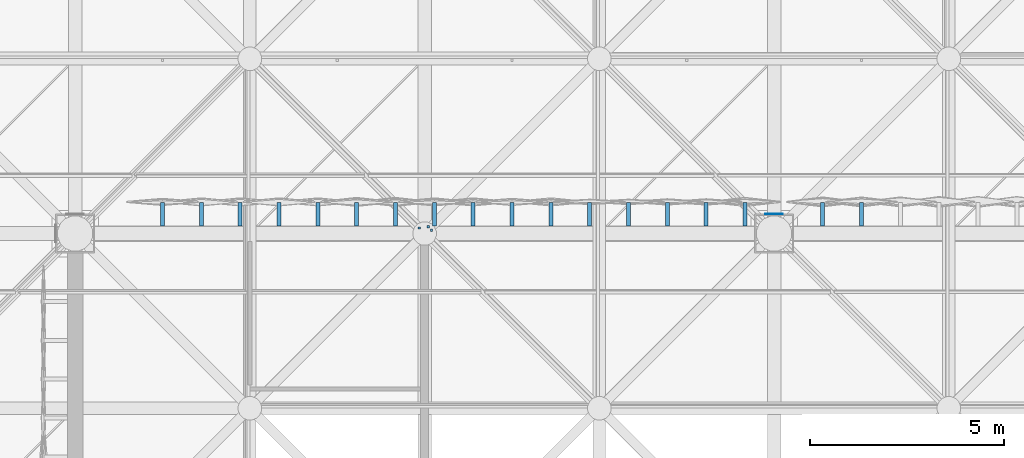
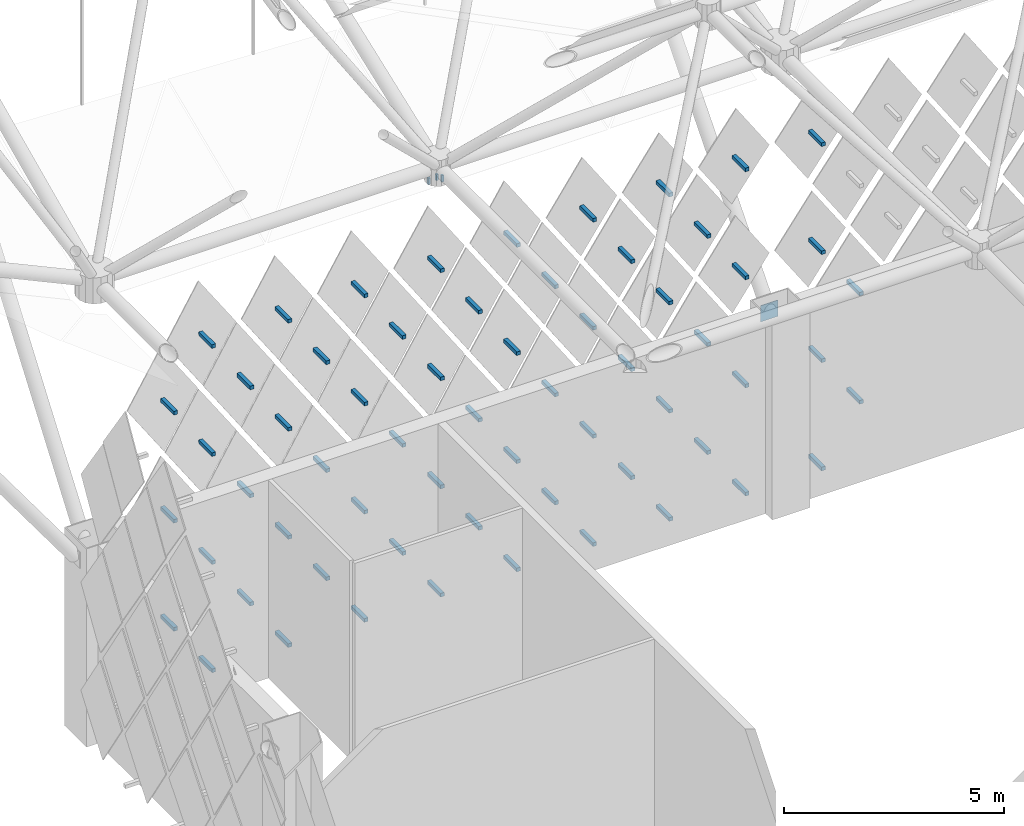
# One storey, part 383 of 437: 66 discrete accessories.
"""IFC4 building model written with IfcOpenShell, lengths in metres."""

from ifc_helpers import new_model, si_unit, direction, frame, origin, place, context, subcontext, project, spatial, polyline, outline, extrude, material, layer, layer_set, type_object, element, save


model = new_model("IFC4")

# Units and contexts
model_context = context("Model", 3, precision=1e-05, world=origin(), true_north=direction((0.0, 1.0)))
body_context = subcontext(model_context, "Body", "Model", "MODEL_VIEW")
ifc_project = project(units=[si_unit("LENGTHUNIT", "METRE"), si_unit("AREAUNIT", "SQUARE_METRE"), si_unit("VOLUMEUNIT", "CUBIC_METRE"), si_unit("PLANEANGLEUNIT", "RADIAN"), si_unit("MASSUNIT", "GRAM", prefix="KILO")], contexts=[model_context])

# Site, building, storey
site_placement = place(None, origin())
site = spatial("IfcSite", under=ifc_project, at=site_placement, CompositionType="ELEMENT")
building_placement = place(site_placement, origin())
building = spatial("IfcBuilding", under=site, at=building_placement, Name="Opaline Strait Convention Centre", CompositionType="ELEMENT")
storey_placement = place(building_placement, frame((0.0, 0.0, 11.5)))
storey = spatial("IfcBuildingStorey", under=building, at=storey_placement, Name="L02", CompositionType="ELEMENT", Elevation=11.5)

# Discrete accessories
ifc_material_1 = material(Name="Structural steel Q355B", Category="steel")
ifc_layer = layer(ifc_material_1, 0.01611328125)
ifc_layer_set = layer_set([ifc_layer], Name="Structural steel Q355B")
discrete_accessory_type_1 = type_object("IfcDiscreteAccessoryType", Name="Prop bearing plate 450 x 450 x 16", PredefinedType="ANCHORPLATE", material=ifc_layer_set)
discrete_accessory_1_placement = place(storey_placement, frame((0.0, 0.0, 4.793701171875)))
element("IfcDiscreteAccessory", 1, at=discrete_accessory_1_placement, inside=storey, type_object=discrete_accessory_type_1, Name="Prop bearing plate 117/153 N", PredefinedType="ANCHORPLATE", context=body_context, shape_type="SweptSolid", body=[
    extrude(outline(polyline([(116.77490234375, 153.5), (117.22509765625, 153.5), (117.22509765625, 153.51611328125), (116.77490234375, 153.51611328125), (116.77490234375, 153.5)])), origin(), (0.0, 0.0, 1.0), 0.449951171875),
])
ifc_material_2 = material(Name="Steel Q355B", Category="steel")
discrete_accessory_type_2 = type_object("IfcDiscreteAccessoryType", Name="Soffit hanger 60x60 steel", PredefinedType="BRACKET", material=ifc_material_2)
discrete_accessory_2_placement = place(storey_placement, frame((0.0, 0.0, 11.967529296875)))
element("IfcDiscreteAccessory", 2, at=discrete_accessory_2_placement, inside=storey, type_object=discrete_accessory_type_2, Name="Soffit hanger", PredefinedType="BRACKET", context=body_context, shape_type="SweptSolid", body=[
    extrude(outline(polyline([(107.82861328125, 153.111328125), (107.888671875, 153.111328125), (107.888671875, 153.17138671875), (107.82861328125, 153.17138671875), (107.82861328125, 153.111328125)])), origin(), (0.0, 0.0, 1.0), 0.17236328125),
])
discrete_accessory_3_placement = place(storey_placement, frame((0.0, 0.0, 11.95849609375)))
element("IfcDiscreteAccessory", 3, at=discrete_accessory_3_placement, inside=storey, type_object=discrete_accessory_type_2, Name="Soffit hanger", PredefinedType="BRACKET", context=body_context, shape_type="SweptSolid", body=[
    extrude(outline(polyline([(108.14892578125, 153.059326171875), (108.208984375, 153.059326171875), (108.208984375, 153.119140625), (108.14892578125, 153.119140625), (108.14892578125, 153.059326171875)])), origin(), (0.0, 0.0, 1.0), 0.181396484375),
])
discrete_accessory_4_placement = place(storey_placement, frame((0.0, 0.0, 11.977294921875)))
element("IfcDiscreteAccessory", 4, at=discrete_accessory_4_placement, inside=storey, type_object=discrete_accessory_type_2, Name="Soffit hanger", PredefinedType="BRACKET", context=body_context, shape_type="SweptSolid", body=[
    extrude(outline(polyline([(108.059326171875, 153.14892578125), (108.119140625, 153.14892578125), (108.119140625, 153.208984375), (108.059326171875, 153.208984375), (108.059326171875, 153.14892578125)])), origin(), (0.0, 0.0, 1.0), 0.16259765625),
])
discrete_accessory_type_3 = type_object("IfcDiscreteAccessoryType", Name="Tile bracket 100x100 steel", PredefinedType="BRACKET", material=ifc_material_2)
discrete_accessory_5_placement = place(storey_placement, frame((118.300048828125, 153.199951171875, 0.39208984375), z_axis=(-1.0, 0.0, 0.0), x_axis=(0.0, -1.0, 0.0)))
element("IfcDiscreteAccessory", 5, at=discrete_accessory_5_placement, inside=storey, type_object=discrete_accessory_type_3, Name="Tile bracket XT04 N", PredefinedType="BRACKET", context=body_context, shape_type="SweptSolid", body=[
    extrude(outline(polyline([(0.0, -0.050048828125), (0.0, 0.050048828125), (-0.59814453125, 0.050048828125), (-0.601806640625, -0.050048828125), (0.0, -0.050048828125)])), origin(), (0.0, 0.0, 1.0), 0.10009765625),
])
for number, where, z_axis, x_axis, name in (
    (6, (116.300048828125, 153.199951171875, 0.39208984375), (-1.0, 0.0, 0.0), (0.0, -1.0, 0.0), "Tile bracket XT04 N"),
    (7, (114.300048828125, 153.199951171875, 0.39208984375), (-1.0, 0.0, 0.0), (0.0, -1.0, 0.0), "Tile bracket XT04 N"),
):
    element("IfcDiscreteAccessory", number, at=place(storey_placement, frame(where, z_axis=z_axis, x_axis=x_axis)), inside=storey, type_object=discrete_accessory_type_3, Name=name, PredefinedType="BRACKET", context=body_context, shape_type="SweptSolid", body=[
        extrude(outline(polyline([(0.0, -0.050048828125), (0.0, 0.050048828125), (-0.601806640625, 0.050048828125), (-0.59814453125, -0.050048828125), (0.0, -0.050048828125)])), origin(), (0.0, 0.0, 1.0), 0.10009765625),
    ])
for number, where, z_axis, x_axis, name in (
    (8, (112.300048828125, 153.199951171875, 0.39208984375), (-1.0, 0.0, 0.0), (0.0, -1.0, 0.0), "Tile bracket XT07 N"),
    (9, (110.300048828125, 153.199951171875, 0.39208984375), (-1.0, 0.0, 0.0), (0.0, -1.0, 0.0), "Tile bracket XT07 N"),
):
    element("IfcDiscreteAccessory", number, at=place(storey_placement, frame(where, z_axis=z_axis, x_axis=x_axis)), inside=storey, type_object=discrete_accessory_type_3, Name=name, PredefinedType="BRACKET", context=body_context, shape_type="SweptSolid", body=[
        extrude(outline(polyline([(0.0, -0.050048828125), (0.0, 0.050048828125), (-0.60302734375, 0.050048828125), (-0.596923828125, -0.050048828125), (0.0, -0.050048828125)])), origin(), (0.0, 0.0, 1.0), 0.10009765625),
    ])
for number, where, z_axis, x_axis, name in (
    (10, (108.300048828125, 153.199951171875, 0.39208984375), (-1.0, 0.0, 0.0), (0.0, -1.0, 0.0), "Tile bracket XT08 N"),
    (11, (106.300048828125, 153.199951171875, 0.39208984375), (-1.0, 0.0, 0.0), (0.0, -1.0, 0.0), "Tile bracket XT08 N"),
):
    element("IfcDiscreteAccessory", number, at=place(storey_placement, frame(where, z_axis=z_axis, x_axis=x_axis)), inside=storey, type_object=discrete_accessory_type_3, Name=name, PredefinedType="BRACKET", context=body_context, shape_type="SweptSolid", body=[
        extrude(outline(polyline([(0.0, -0.050048828125), (0.0, 0.050048828125), (-0.603515625, 0.050048828125), (-0.596435546875, -0.050048828125), (0.0, -0.050048828125)])), origin(), (0.0, 0.0, 1.0), 0.10009765625),
    ])
discrete_accessory_6_placement = place(storey_placement, frame((104.300048828125, 153.199951171875, 0.39208984375), z_axis=(-1.0, 0.0, 0.0), x_axis=(0.0, -1.0, 0.0)))
element("IfcDiscreteAccessory", 12, at=discrete_accessory_6_placement, inside=storey, type_object=discrete_accessory_type_3, Name="Tile bracket XT05 N", PredefinedType="BRACKET", context=body_context, shape_type="SweptSolid", body=[
    extrude(outline(polyline([(0.0, -0.050048828125), (0.0, 0.050048828125), (-0.602294921875, 0.050048828125), (-0.597900390625, -0.050048828125), (0.0, -0.050048828125)])), origin(), (0.0, 0.0, 1.0), 0.10009765625),
])
discrete_accessory_7_placement = place(storey_placement, frame((102.300048828125, 153.199951171875, 0.39208984375), z_axis=(-1.0, 0.0, 0.0), x_axis=(0.0, -1.0, 0.0)))
element("IfcDiscreteAccessory", 13, at=discrete_accessory_7_placement, inside=storey, type_object=discrete_accessory_type_3, Name="Tile bracket XT04 N", PredefinedType="BRACKET", context=body_context, shape_type="SweptSolid", body=[
    extrude(outline(polyline([(0.0, -0.050048828125), (0.0, 0.050048828125), (-0.601806640625, 0.050048828125), (-0.59814453125, -0.050048828125), (0.0, -0.050048828125)])), origin(), (0.0, 0.0, 1.0), 0.10009765625),
])
discrete_accessory_8_placement = place(storey_placement, frame((119.300048828125, 153.199951171875, 1.89208984375), z_axis=(-1.0, 0.0, 0.0), x_axis=(0.0, -1.0, 0.0)))
element("IfcDiscreteAccessory", 14, at=discrete_accessory_8_placement, inside=storey, type_object=discrete_accessory_type_3, Name="Tile bracket XT05 N", PredefinedType="BRACKET", context=body_context, shape_type="SweptSolid", body=[
    extrude(outline(polyline([(0.0, -0.050048828125), (0.0, 0.050048828125), (-0.597900390625, 0.050048828125), (-0.602294921875, -0.050048828125), (0.0, -0.050048828125)])), origin(), (0.0, 0.0, 1.0), 0.10009765625),
])
discrete_accessory_9_placement = place(storey_placement, frame((115.300048828125, 153.199951171875, 1.89208984375), z_axis=(-1.0, 0.0, 0.0), x_axis=(0.0, -1.0, 0.0)))
element("IfcDiscreteAccessory", 15, at=discrete_accessory_9_placement, inside=storey, type_object=discrete_accessory_type_3, Name="Tile bracket XT03 N", PredefinedType="BRACKET", context=body_context, shape_type="SweptSolid", body=[
    extrude(outline(polyline([(0.0, -0.050048828125), (0.0, 0.050048828125), (-0.601318359375, 0.050048828125), (-0.5986328125, -0.050048828125), (0.0, -0.050048828125)])), origin(), (0.0, 0.0, 1.0), 0.10009765625),
])
discrete_accessory_10_placement = place(storey_placement, frame((113.300048828125, 153.199951171875, 1.89208984375), z_axis=(-1.0, 0.0, 0.0), x_axis=(0.0, -1.0, 0.0)))
element("IfcDiscreteAccessory", 16, at=discrete_accessory_10_placement, inside=storey, type_object=discrete_accessory_type_3, Name="Tile bracket XT04 N", PredefinedType="BRACKET", context=body_context, shape_type="SweptSolid", body=[
    extrude(outline(polyline([(0.0, -0.050048828125), (0.0, 0.050048828125), (-0.601806640625, 0.050048828125), (-0.59814453125, -0.050048828125), (0.0, -0.050048828125)])), origin(), (0.0, 0.0, 1.0), 0.10009765625),
])
for number, where, z_axis, x_axis, name in (
    (17, (111.300048828125, 153.199951171875, 1.89208984375), (-1.0, 0.0, 0.0), (0.0, -1.0, 0.0), "Tile bracket XT07 N"),
    (18, (109.300048828125, 153.199951171875, 1.89208984375), (-1.0, 0.0, 0.0), (0.0, -1.0, 0.0), "Tile bracket XT07 N"),
):
    element("IfcDiscreteAccessory", number, at=place(storey_placement, frame(where, z_axis=z_axis, x_axis=x_axis)), inside=storey, type_object=discrete_accessory_type_3, Name=name, PredefinedType="BRACKET", context=body_context, shape_type="SweptSolid", body=[
        extrude(outline(polyline([(0.0, -0.050048828125), (0.0, 0.050048828125), (-0.60302734375, 0.050048828125), (-0.596923828125, -0.050048828125), (0.0, -0.050048828125)])), origin(), (0.0, 0.0, 1.0), 0.10009765625),
    ])
discrete_accessory_11_placement = place(storey_placement, frame((107.300048828125, 153.199951171875, 1.89208984375), z_axis=(-1.0, 0.0, 0.0), x_axis=(0.0, -1.0, 0.0)))
element("IfcDiscreteAccessory", 19, at=discrete_accessory_11_placement, inside=storey, type_object=discrete_accessory_type_3, Name="Tile bracket XT08 N", PredefinedType="BRACKET", context=body_context, shape_type="SweptSolid", body=[
    extrude(outline(polyline([(0.0, -0.050048828125), (0.0, 0.050048828125), (-0.603515625, 0.050048828125), (-0.596435546875, -0.050048828125), (0.0, -0.050048828125)])), origin(), (0.0, 0.0, 1.0), 0.10009765625),
])
discrete_accessory_12_placement = place(storey_placement, frame((105.300048828125, 153.199951171875, 1.89208984375), z_axis=(-1.0, 0.0, 0.0), x_axis=(0.0, -1.0, 0.0)))
element("IfcDiscreteAccessory", 20, at=discrete_accessory_12_placement, inside=storey, type_object=discrete_accessory_type_3, Name="Tile bracket XT07 N", PredefinedType="BRACKET", context=body_context, shape_type="SweptSolid", body=[
    extrude(outline(polyline([(0.0, -0.050048828125), (0.0, 0.050048828125), (-0.60302734375, 0.050048828125), (-0.596923828125, -0.050048828125), (0.0, -0.050048828125)])), origin(), (0.0, 0.0, 1.0), 0.10009765625),
])
discrete_accessory_13_placement = place(storey_placement, frame((103.300048828125, 153.199951171875, 1.89208984375), z_axis=(-1.0, 0.0, 0.0), x_axis=(0.0, -1.0, 0.0)))
element("IfcDiscreteAccessory", 21, at=discrete_accessory_13_placement, inside=storey, type_object=discrete_accessory_type_3, Name="Tile bracket XT06 N", PredefinedType="BRACKET", context=body_context, shape_type="SweptSolid", body=[
    extrude(outline(polyline([(0.0, -0.050048828125), (0.0, 0.050048828125), (-0.6025390625, 0.050048828125), (-0.597412109375, -0.050048828125), (0.0, -0.050048828125)])), origin(), (0.0, 0.0, 1.0), 0.10009765625),
])
discrete_accessory_14_placement = place(storey_placement, frame((101.300048828125, 153.199951171875, 1.89208984375), z_axis=(-1.0, 0.0, 0.0), x_axis=(0.0, -1.0, 0.0)))
element("IfcDiscreteAccessory", 22, at=discrete_accessory_14_placement, inside=storey, type_object=discrete_accessory_type_3, Name="Tile bracket XT03 N", PredefinedType="BRACKET", context=body_context, shape_type="SweptSolid", body=[
    extrude(outline(polyline([(0.0, -0.050048828125), (0.0, 0.050048828125), (-0.601318359375, 0.050048828125), (-0.5986328125, -0.050048828125), (0.0, -0.050048828125)])), origin(), (0.0, 0.0, 1.0), 0.10009765625),
])
discrete_accessory_15_placement = place(storey_placement, frame((118.300048828125, 153.199951171875, 3.39208984375), z_axis=(-1.0, 0.0, 0.0), x_axis=(0.0, -1.0, 0.0)))
element("IfcDiscreteAccessory", 23, at=discrete_accessory_15_placement, inside=storey, type_object=discrete_accessory_type_3, Name="Tile bracket XT06 N", PredefinedType="BRACKET", context=body_context, shape_type="SweptSolid", body=[
    extrude(outline(polyline([(0.0, -0.050048828125), (0.0, 0.050048828125), (-0.597412109375, 0.050048828125), (-0.6025390625, -0.050048828125), (0.0, -0.050048828125)])), origin(), (0.0, 0.0, 1.0), 0.10009765625),
])
discrete_accessory_16_placement = place(storey_placement, frame((116.300048828125, 153.199951171875, 3.39208984375), z_axis=(-1.0, 0.0, 0.0), x_axis=(0.0, -1.0, 0.0)))
element("IfcDiscreteAccessory", 24, at=discrete_accessory_16_placement, inside=storey, type_object=discrete_accessory_type_3, Name="Tile bracket XT04 N", PredefinedType="BRACKET", context=body_context, shape_type="SweptSolid", body=[
    extrude(outline(polyline([(0.0, -0.050048828125), (0.0, 0.050048828125), (-0.59814453125, 0.050048828125), (-0.601806640625, -0.050048828125), (0.0, -0.050048828125)])), origin(), (0.0, 0.0, 1.0), 0.10009765625),
])
discrete_accessory_17_placement = place(storey_placement, frame((114.300048828125, 153.199951171875, 3.39208984375), z_axis=(-1.0, 0.0, 0.0), x_axis=(0.0, -1.0, 0.0)))
element("IfcDiscreteAccessory", 25, at=discrete_accessory_17_placement, inside=storey, type_object=discrete_accessory_type_3, Name="Tile bracket XT03 N", PredefinedType="BRACKET", context=body_context, shape_type="SweptSolid", body=[
    extrude(outline(polyline([(0.0, -0.050048828125), (0.0, 0.050048828125), (-0.601318359375, 0.050048828125), (-0.5986328125, -0.050048828125), (0.0, -0.050048828125)])), origin(), (0.0, 0.0, 1.0), 0.10009765625),
])
discrete_accessory_18_placement = place(storey_placement, frame((112.300048828125, 153.199951171875, 3.39208984375), z_axis=(-1.0, 0.0, 0.0), x_axis=(0.0, -1.0, 0.0)))
element("IfcDiscreteAccessory", 26, at=discrete_accessory_18_placement, inside=storey, type_object=discrete_accessory_type_3, Name="Tile bracket XT04 N", PredefinedType="BRACKET", context=body_context, shape_type="SweptSolid", body=[
    extrude(outline(polyline([(0.0, -0.050048828125), (0.0, 0.050048828125), (-0.601806640625, 0.050048828125), (-0.59814453125, -0.050048828125), (0.0, -0.050048828125)])), origin(), (0.0, 0.0, 1.0), 0.10009765625),
])
discrete_accessory_19_placement = place(storey_placement, frame((110.300048828125, 153.199951171875, 3.39208984375), z_axis=(-1.0, 0.0, 0.0), x_axis=(0.0, -1.0, 0.0)))
element("IfcDiscreteAccessory", 27, at=discrete_accessory_19_placement, inside=storey, type_object=discrete_accessory_type_3, Name="Tile bracket XT06 N", PredefinedType="BRACKET", context=body_context, shape_type="SweptSolid", body=[
    extrude(outline(polyline([(0.0, -0.050048828125), (0.0, 0.050048828125), (-0.6025390625, 0.050048828125), (-0.597412109375, -0.050048828125), (0.0, -0.050048828125)])), origin(), (0.0, 0.0, 1.0), 0.10009765625),
])
discrete_accessory_20_placement = place(storey_placement, frame((108.300048828125, 153.199951171875, 3.39208984375), z_axis=(-1.0, 0.0, 0.0), x_axis=(0.0, -1.0, 0.0)))
element("IfcDiscreteAccessory", 28, at=discrete_accessory_20_placement, inside=storey, type_object=discrete_accessory_type_3, Name="Tile bracket XT07 N", PredefinedType="BRACKET", context=body_context, shape_type="SweptSolid", body=[
    extrude(outline(polyline([(0.0, -0.050048828125), (0.0, 0.050048828125), (-0.60302734375, 0.050048828125), (-0.596923828125, -0.050048828125), (0.0, -0.050048828125)])), origin(), (0.0, 0.0, 1.0), 0.10009765625),
])
discrete_accessory_21_placement = place(storey_placement, frame((106.300048828125, 153.199951171875, 3.39208984375), z_axis=(-1.0, 0.0, 0.0), x_axis=(0.0, -1.0, 0.0)))
element("IfcDiscreteAccessory", 29, at=discrete_accessory_21_placement, inside=storey, type_object=discrete_accessory_type_3, Name="Tile bracket XT08 N", PredefinedType="BRACKET", context=body_context, shape_type="SweptSolid", body=[
    extrude(outline(polyline([(0.0, -0.050048828125), (0.0, 0.050048828125), (-0.603515625, 0.050048828125), (-0.596435546875, -0.050048828125), (0.0, -0.050048828125)])), origin(), (0.0, 0.0, 1.0), 0.10009765625),
])
discrete_accessory_22_placement = place(storey_placement, frame((104.300048828125, 153.199951171875, 3.39208984375), z_axis=(-1.0, 0.0, 0.0), x_axis=(0.0, -1.0, 0.0)))
element("IfcDiscreteAccessory", 30, at=discrete_accessory_22_placement, inside=storey, type_object=discrete_accessory_type_3, Name="Tile bracket XT07 N", PredefinedType="BRACKET", context=body_context, shape_type="SweptSolid", body=[
    extrude(outline(polyline([(0.0, -0.050048828125), (0.0, 0.050048828125), (-0.60302734375, 0.050048828125), (-0.596923828125, -0.050048828125), (0.0, -0.050048828125)])), origin(), (0.0, 0.0, 1.0), 0.10009765625),
])
discrete_accessory_23_placement = place(storey_placement, frame((102.300048828125, 153.199951171875, 3.39208984375), z_axis=(-1.0, 0.0, 0.0), x_axis=(0.0, -1.0, 0.0)))
element("IfcDiscreteAccessory", 31, at=discrete_accessory_23_placement, inside=storey, type_object=discrete_accessory_type_3, Name="Tile bracket XT06 N", PredefinedType="BRACKET", context=body_context, shape_type="SweptSolid", body=[
    extrude(outline(polyline([(0.0, -0.050048828125), (0.0, 0.050048828125), (-0.6025390625, 0.050048828125), (-0.597412109375, -0.050048828125), (0.0, -0.050048828125)])), origin(), (0.0, 0.0, 1.0), 0.10009765625),
])
discrete_accessory_24_placement = place(storey_placement, frame((119.300048828125, 153.199951171875, 4.89208984375), z_axis=(-1.0, 0.0, 0.0), x_axis=(0.0, -1.0, 0.0)))
element("IfcDiscreteAccessory", 32, at=discrete_accessory_24_placement, inside=storey, type_object=discrete_accessory_type_3, Name="Tile bracket XT08 N", PredefinedType="BRACKET", context=body_context, shape_type="SweptSolid", body=[
    extrude(outline(polyline([(0.0, -0.050048828125), (0.0, 0.050048828125), (-0.596435546875, 0.050048828125), (-0.603515625, -0.050048828125), (0.0, -0.050048828125)])), origin(), (0.0, 0.0, 1.0), 0.10009765625),
])
discrete_accessory_25_placement = place(storey_placement, frame((115.300048828125, 153.199951171875, 4.89208984375), z_axis=(-1.0, 0.0, 0.0), x_axis=(0.0, -1.0, 0.0)))
element("IfcDiscreteAccessory", 33, at=discrete_accessory_25_placement, inside=storey, type_object=discrete_accessory_type_3, Name="Tile bracket XT03 N", PredefinedType="BRACKET", context=body_context, shape_type="SweptSolid", body=[
    extrude(outline(polyline([(0.0, -0.050048828125), (0.0, 0.050048828125), (-0.5986328125, 0.050048828125), (-0.601318359375, -0.050048828125), (0.0, -0.050048828125)])), origin(), (0.0, 0.0, 1.0), 0.10009765625),
])
discrete_accessory_26_placement = place(storey_placement, frame((113.300048828125, 153.199951171875, 4.89208984375), z_axis=(-1.0, 0.0, 0.0), x_axis=(0.0, -1.0, 0.0)))
element("IfcDiscreteAccessory", 34, at=discrete_accessory_26_placement, inside=storey, type_object=discrete_accessory_type_3, Name="Tile bracket XT03 N", PredefinedType="BRACKET", context=body_context, shape_type="SweptSolid", body=[
    extrude(outline(polyline([(0.0, -0.050048828125), (0.0, 0.050048828125), (-0.601318359375, 0.050048828125), (-0.5986328125, -0.050048828125), (0.0, -0.050048828125)])), origin(), (0.0, 0.0, 1.0), 0.10009765625),
])
discrete_accessory_27_placement = place(storey_placement, frame((111.300048828125, 153.199951171875, 4.89208984375), z_axis=(-1.0, 0.0, 0.0), x_axis=(0.0, -1.0, 0.0)))
element("IfcDiscreteAccessory", 35, at=discrete_accessory_27_placement, inside=storey, type_object=discrete_accessory_type_3, Name="Tile bracket XT04 N", PredefinedType="BRACKET", context=body_context, shape_type="SweptSolid", body=[
    extrude(outline(polyline([(0.0, -0.050048828125), (0.0, 0.050048828125), (-0.601806640625, 0.050048828125), (-0.59814453125, -0.050048828125), (0.0, -0.050048828125)])), origin(), (0.0, 0.0, 1.0), 0.10009765625),
])
discrete_accessory_28_placement = place(storey_placement, frame((109.300048828125, 153.199951171875, 4.89208984375), z_axis=(-1.0, 0.0, 0.0), x_axis=(0.0, -1.0, 0.0)))
element("IfcDiscreteAccessory", 36, at=discrete_accessory_28_placement, inside=storey, type_object=discrete_accessory_type_3, Name="Tile bracket XT06 N", PredefinedType="BRACKET", context=body_context, shape_type="SweptSolid", body=[
    extrude(outline(polyline([(0.0, -0.050048828125), (0.0, 0.050048828125), (-0.6025390625, 0.050048828125), (-0.597412109375, -0.050048828125), (0.0, -0.050048828125)])), origin(), (0.0, 0.0, 1.0), 0.10009765625),
])
for number, where, z_axis, x_axis, name in (
    (37, (107.300048828125, 153.199951171875, 4.89208984375), (-1.0, 0.0, 0.0), (0.0, -1.0, 0.0), "Tile bracket XT07 N"),
    (38, (105.300048828125, 153.199951171875, 4.89208984375), (-1.0, 0.0, 0.0), (0.0, -1.0, 0.0), "Tile bracket XT07 N"),
    (39, (103.300048828125, 153.199951171875, 4.89208984375), (-1.0, 0.0, 0.0), (0.0, -1.0, 0.0), "Tile bracket XT07 N"),
):
    element("IfcDiscreteAccessory", number, at=place(storey_placement, frame(where, z_axis=z_axis, x_axis=x_axis)), inside=storey, type_object=discrete_accessory_type_3, Name=name, PredefinedType="BRACKET", context=body_context, shape_type="SweptSolid", body=[
        extrude(outline(polyline([(0.0, -0.050048828125), (0.0, 0.050048828125), (-0.60302734375, 0.050048828125), (-0.596923828125, -0.050048828125), (0.0, -0.050048828125)])), origin(), (0.0, 0.0, 1.0), 0.10009765625),
    ])
discrete_accessory_29_placement = place(storey_placement, frame((101.300048828125, 153.199951171875, 4.89208984375), z_axis=(-1.0, 0.0, 0.0), x_axis=(0.0, -1.0, 0.0)))
element("IfcDiscreteAccessory", 40, at=discrete_accessory_29_placement, inside=storey, type_object=discrete_accessory_type_3, Name="Tile bracket XT05 N", PredefinedType="BRACKET", context=body_context, shape_type="SweptSolid", body=[
    extrude(outline(polyline([(0.0, -0.050048828125), (0.0, 0.050048828125), (-0.602294921875, 0.050048828125), (-0.597900390625, -0.050048828125), (0.0, -0.050048828125)])), origin(), (0.0, 0.0, 1.0), 0.10009765625),
])
discrete_accessory_30_placement = place(storey_placement, frame((118.300048828125, 153.199951171875, 6.39208984375), z_axis=(-1.0, 0.0, 0.0), x_axis=(0.0, -1.0, 0.0)))
element("IfcDiscreteAccessory", 41, at=discrete_accessory_30_placement, inside=storey, type_object=discrete_accessory_type_3, Name="Tile bracket XT08 N", PredefinedType="BRACKET", context=body_context, shape_type="SweptSolid", body=[
    extrude(outline(polyline([(0.0, -0.050048828125), (0.0, 0.050048828125), (-0.596435546875, 0.050048828125), (-0.603515625, -0.050048828125), (0.0, -0.050048828125)])), origin(), (0.0, 0.0, 1.0), 0.10009765625),
])
discrete_accessory_31_placement = place(storey_placement, frame((116.300048828125, 153.199951171875, 6.39208984375), z_axis=(-1.0, 0.0, 0.0), x_axis=(0.0, -1.0, 0.0)))
element("IfcDiscreteAccessory", 42, at=discrete_accessory_31_placement, inside=storey, type_object=discrete_accessory_type_3, Name="Tile bracket XT06 N", PredefinedType="BRACKET", context=body_context, shape_type="SweptSolid", body=[
    extrude(outline(polyline([(0.0, -0.050048828125), (0.0, 0.050048828125), (-0.597412109375, 0.050048828125), (-0.6025390625, -0.050048828125), (0.0, -0.050048828125)])), origin(), (0.0, 0.0, 1.0), 0.10009765625),
])
discrete_accessory_32_placement = place(storey_placement, frame((114.300048828125, 153.199951171875, 6.39208984375), z_axis=(-1.0, 0.0, 0.0), x_axis=(0.0, -1.0, 0.0)))
element("IfcDiscreteAccessory", 43, at=discrete_accessory_32_placement, inside=storey, type_object=discrete_accessory_type_3, Name="Tile bracket XT03 N", PredefinedType="BRACKET", context=body_context, shape_type="SweptSolid", body=[
    extrude(outline(polyline([(0.0, -0.050048828125), (0.0, 0.050048828125), (-0.5986328125, 0.050048828125), (-0.601318359375, -0.050048828125), (0.0, -0.050048828125)])), origin(), (0.0, 0.0, 1.0), 0.10009765625),
])
for number, where, z_axis, x_axis, name in (
    (44, (112.300048828125, 153.199951171875, 6.39208984375), (-1.0, 0.0, 0.0), (0.0, -1.0, 0.0), "Tile bracket XT03 N"),
    (45, (110.300048828125, 153.199951171875, 6.39208984375), (-1.0, 0.0, 0.0), (0.0, -1.0, 0.0), "Tile bracket XT03 N"),
):
    element("IfcDiscreteAccessory", number, at=place(storey_placement, frame(where, z_axis=z_axis, x_axis=x_axis)), inside=storey, type_object=discrete_accessory_type_3, Name=name, PredefinedType="BRACKET", context=body_context, shape_type="SweptSolid", body=[
        extrude(outline(polyline([(0.0, -0.050048828125), (0.0, 0.050048828125), (-0.601318359375, 0.050048828125), (-0.5986328125, -0.050048828125), (0.0, -0.050048828125)])), origin(), (0.0, 0.0, 1.0), 0.10009765625),
    ])
discrete_accessory_33_placement = place(storey_placement, frame((108.300048828125, 153.199951171875, 6.39208984375), z_axis=(-1.0, 0.0, 0.0), x_axis=(0.0, -1.0, 0.0)))
element("IfcDiscreteAccessory", 46, at=discrete_accessory_33_placement, inside=storey, type_object=discrete_accessory_type_3, Name="Tile bracket XT05 N", PredefinedType="BRACKET", context=body_context, shape_type="SweptSolid", body=[
    extrude(outline(polyline([(0.0, -0.050048828125), (0.0, 0.050048828125), (-0.602294921875, 0.050048828125), (-0.597900390625, -0.050048828125), (0.0, -0.050048828125)])), origin(), (0.0, 0.0, 1.0), 0.10009765625),
])
for number, where, z_axis, x_axis, name in (
    (47, (106.300048828125, 153.199951171875, 6.39208984375), (-1.0, 0.0, 0.0), (0.0, -1.0, 0.0), "Tile bracket XT07 N"),
    (48, (104.300048828125, 153.199951171875, 6.39208984375), (-1.0, 0.0, 0.0), (0.0, -1.0, 0.0), "Tile bracket XT07 N"),
    (49, (102.300048828125, 153.199951171875, 6.39208984375), (-1.0, 0.0, 0.0), (0.0, -1.0, 0.0), "Tile bracket XT07 N"),
):
    element("IfcDiscreteAccessory", number, at=place(storey_placement, frame(where, z_axis=z_axis, x_axis=x_axis)), inside=storey, type_object=discrete_accessory_type_3, Name=name, PredefinedType="BRACKET", context=body_context, shape_type="SweptSolid", body=[
        extrude(outline(polyline([(0.0, -0.050048828125), (0.0, 0.050048828125), (-0.60302734375, 0.050048828125), (-0.596923828125, -0.050048828125), (0.0, -0.050048828125)])), origin(), (0.0, 0.0, 1.0), 0.10009765625),
    ])
discrete_accessory_34_placement = place(storey_placement, frame((115.300048828125, 153.199951171875, 7.89208984375), z_axis=(-1.0, 0.0, 0.0), x_axis=(0.0, -1.0, 0.0)))
element("IfcDiscreteAccessory", 50, at=discrete_accessory_34_placement, inside=storey, type_object=discrete_accessory_type_3, Name="Tile bracket XT06 N", PredefinedType="BRACKET", context=body_context, shape_type="SweptSolid", body=[
    extrude(outline(polyline([(0.0, -0.050048828125), (0.0, 0.050048828125), (-0.597412109375, 0.050048828125), (-0.6025390625, -0.050048828125), (0.0, -0.050048828125)])), origin(), (0.0, 0.0, 1.0), 0.10009765625),
])
discrete_accessory_35_placement = place(storey_placement, frame((113.300048828125, 153.199951171875, 7.89208984375), z_axis=(-1.0, 0.0, 0.0), x_axis=(0.0, -1.0, 0.0)))
element("IfcDiscreteAccessory", 51, at=discrete_accessory_35_placement, inside=storey, type_object=discrete_accessory_type_3, Name="Tile bracket XT03 N", PredefinedType="BRACKET", context=body_context, shape_type="SweptSolid", body=[
    extrude(outline(polyline([(0.0, -0.050048828125), (0.0, 0.050048828125), (-0.5986328125, 0.050048828125), (-0.601318359375, -0.050048828125), (0.0, -0.050048828125)])), origin(), (0.0, 0.0, 1.0), 0.10009765625),
])
for number, where, z_axis, x_axis, name in (
    (52, (111.300048828125, 153.199951171875, 7.89208984375), (-1.0, 0.0, 0.0), (0.0, -1.0, 0.0), "Tile bracket XT03 N"),
    (53, (109.300048828125, 153.199951171875, 7.89208984375), (-1.0, 0.0, 0.0), (0.0, -1.0, 0.0), "Tile bracket XT03 N"),
):
    element("IfcDiscreteAccessory", number, at=place(storey_placement, frame(where, z_axis=z_axis, x_axis=x_axis)), inside=storey, type_object=discrete_accessory_type_3, Name=name, PredefinedType="BRACKET", context=body_context, shape_type="SweptSolid", body=[
        extrude(outline(polyline([(0.0, -0.050048828125), (0.0, 0.050048828125), (-0.601318359375, 0.050048828125), (-0.5986328125, -0.050048828125), (0.0, -0.050048828125)])), origin(), (0.0, 0.0, 1.0), 0.10009765625),
    ])
discrete_accessory_36_placement = place(storey_placement, frame((107.300048828125, 153.199951171875, 7.89208984375), z_axis=(-1.0, 0.0, 0.0), x_axis=(0.0, -1.0, 0.0)))
element("IfcDiscreteAccessory", 54, at=discrete_accessory_36_placement, inside=storey, type_object=discrete_accessory_type_3, Name="Tile bracket XT05 N", PredefinedType="BRACKET", context=body_context, shape_type="SweptSolid", body=[
    extrude(outline(polyline([(0.0, -0.050048828125), (0.0, 0.050048828125), (-0.602294921875, 0.050048828125), (-0.597900390625, -0.050048828125), (0.0, -0.050048828125)])), origin(), (0.0, 0.0, 1.0), 0.10009765625),
])
discrete_accessory_37_placement = place(storey_placement, frame((105.300048828125, 153.199951171875, 7.89208984375), z_axis=(-1.0, 0.0, 0.0), x_axis=(0.0, -1.0, 0.0)))
element("IfcDiscreteAccessory", 55, at=discrete_accessory_37_placement, inside=storey, type_object=discrete_accessory_type_3, Name="Tile bracket XT06 N", PredefinedType="BRACKET", context=body_context, shape_type="SweptSolid", body=[
    extrude(outline(polyline([(0.0, -0.050048828125), (0.0, 0.050048828125), (-0.6025390625, 0.050048828125), (-0.597412109375, -0.050048828125), (0.0, -0.050048828125)])), origin(), (0.0, 0.0, 1.0), 0.10009765625),
])
discrete_accessory_38_placement = place(storey_placement, frame((103.300048828125, 153.199951171875, 7.89208984375), z_axis=(-1.0, 0.0, 0.0), x_axis=(0.0, -1.0, 0.0)))
element("IfcDiscreteAccessory", 56, at=discrete_accessory_38_placement, inside=storey, type_object=discrete_accessory_type_3, Name="Tile bracket XT07 N", PredefinedType="BRACKET", context=body_context, shape_type="SweptSolid", body=[
    extrude(outline(polyline([(0.0, -0.050048828125), (0.0, 0.050048828125), (-0.60302734375, 0.050048828125), (-0.596923828125, -0.050048828125), (0.0, -0.050048828125)])), origin(), (0.0, 0.0, 1.0), 0.10009765625),
])
discrete_accessory_39_placement = place(storey_placement, frame((101.300048828125, 153.199951171875, 7.89208984375), z_axis=(-1.0, 0.0, 0.0), x_axis=(0.0, -1.0, 0.0)))
element("IfcDiscreteAccessory", 57, at=discrete_accessory_39_placement, inside=storey, type_object=discrete_accessory_type_3, Name="Tile bracket XT06 N", PredefinedType="BRACKET", context=body_context, shape_type="SweptSolid", body=[
    extrude(outline(polyline([(0.0, -0.050048828125), (0.0, 0.050048828125), (-0.6025390625, 0.050048828125), (-0.597412109375, -0.050048828125), (0.0, -0.050048828125)])), origin(), (0.0, 0.0, 1.0), 0.10009765625),
])
discrete_accessory_40_placement = place(storey_placement, frame((118.300048828125, 153.199951171875, 9.39208984375), z_axis=(-1.0, 0.0, 0.0), x_axis=(0.0, -1.0, 0.0)))
element("IfcDiscreteAccessory", 58, at=discrete_accessory_40_placement, inside=storey, type_object=discrete_accessory_type_3, Name="Tile bracket XT10 N", PredefinedType="BRACKET", context=body_context, shape_type="SweptSolid", body=[
    extrude(outline(polyline([(0.0, -0.050048828125), (0.0, 0.050048828125), (-0.595703125, 0.050048828125), (-0.604248046875, -0.050048828125), (0.0, -0.050048828125)])), origin(), (0.0, 0.0, 1.0), 0.10009765625),
])
discrete_accessory_41_placement = place(storey_placement, frame((116.300048828125, 153.199951171875, 9.39208984375), z_axis=(-1.0, 0.0, 0.0), x_axis=(0.0, -1.0, 0.0)))
element("IfcDiscreteAccessory", 59, at=discrete_accessory_41_placement, inside=storey, type_object=discrete_accessory_type_3, Name="Tile bracket XT09 N", PredefinedType="BRACKET", context=body_context, shape_type="SweptSolid", body=[
    extrude(outline(polyline([(0.0, -0.050048828125), (0.0, 0.050048828125), (-0.595947265625, 0.050048828125), (-0.60400390625, -0.050048828125), (0.0, -0.050048828125)])), origin(), (0.0, 0.0, 1.0), 0.10009765625),
])
discrete_accessory_42_placement = place(storey_placement, frame((114.300048828125, 153.199951171875, 9.39208984375), z_axis=(-1.0, 0.0, 0.0), x_axis=(0.0, -1.0, 0.0)))
element("IfcDiscreteAccessory", 60, at=discrete_accessory_42_placement, inside=storey, type_object=discrete_accessory_type_3, Name="Tile bracket XT06 N", PredefinedType="BRACKET", context=body_context, shape_type="SweptSolid", body=[
    extrude(outline(polyline([(0.0, -0.050048828125), (0.0, 0.050048828125), (-0.597412109375, 0.050048828125), (-0.6025390625, -0.050048828125), (0.0, -0.050048828125)])), origin(), (0.0, 0.0, 1.0), 0.10009765625),
])
discrete_accessory_43_placement = place(storey_placement, frame((112.300048828125, 153.199951171875, 9.39208984375), z_axis=(-1.0, 0.0, 0.0), x_axis=(0.0, -1.0, 0.0)))
element("IfcDiscreteAccessory", 61, at=discrete_accessory_43_placement, inside=storey, type_object=discrete_accessory_type_3, Name="Tile bracket XT03 N", PredefinedType="BRACKET", context=body_context, shape_type="SweptSolid", body=[
    extrude(outline(polyline([(0.0, -0.050048828125), (0.0, 0.050048828125), (-0.5986328125, 0.050048828125), (-0.601318359375, -0.050048828125), (0.0, -0.050048828125)])), origin(), (0.0, 0.0, 1.0), 0.10009765625),
])
for number, where, z_axis, x_axis, name in (
    (62, (110.300048828125, 153.199951171875, 9.39208984375), (-1.0, 0.0, 0.0), (0.0, -1.0, 0.0), "Tile bracket XT03 N"),
    (63, (108.300048828125, 153.199951171875, 9.39208984375), (-1.0, 0.0, 0.0), (0.0, -1.0, 0.0), "Tile bracket XT03 N"),
):
    element("IfcDiscreteAccessory", number, at=place(storey_placement, frame(where, z_axis=z_axis, x_axis=x_axis)), inside=storey, type_object=discrete_accessory_type_3, Name=name, PredefinedType="BRACKET", context=body_context, shape_type="SweptSolid", body=[
        extrude(outline(polyline([(0.0, -0.050048828125), (0.0, 0.050048828125), (-0.601318359375, 0.050048828125), (-0.5986328125, -0.050048828125), (0.0, -0.050048828125)])), origin(), (0.0, 0.0, 1.0), 0.10009765625),
    ])
discrete_accessory_44_placement = place(storey_placement, frame((106.300048828125, 153.199951171875, 9.39208984375), z_axis=(-1.0, 0.0, 0.0), x_axis=(0.0, -1.0, 0.0)))
element("IfcDiscreteAccessory", 64, at=discrete_accessory_44_placement, inside=storey, type_object=discrete_accessory_type_3, Name="Tile bracket XT05 N", PredefinedType="BRACKET", context=body_context, shape_type="SweptSolid", body=[
    extrude(outline(polyline([(0.0, -0.050048828125), (0.0, 0.050048828125), (-0.602294921875, 0.050048828125), (-0.597900390625, -0.050048828125), (0.0, -0.050048828125)])), origin(), (0.0, 0.0, 1.0), 0.10009765625),
])
discrete_accessory_45_placement = place(storey_placement, frame((104.300048828125, 153.199951171875, 9.39208984375), z_axis=(-1.0, 0.0, 0.0), x_axis=(0.0, -1.0, 0.0)))
element("IfcDiscreteAccessory", 65, at=discrete_accessory_45_placement, inside=storey, type_object=discrete_accessory_type_3, Name="Tile bracket XT06 N", PredefinedType="BRACKET", context=body_context, shape_type="SweptSolid", body=[
    extrude(outline(polyline([(0.0, -0.050048828125), (0.0, 0.050048828125), (-0.6025390625, 0.050048828125), (-0.597412109375, -0.050048828125), (0.0, -0.050048828125)])), origin(), (0.0, 0.0, 1.0), 0.10009765625),
])
discrete_accessory_46_placement = place(storey_placement, frame((102.300048828125, 153.199951171875, 9.39208984375), z_axis=(-1.0, 0.0, 0.0), x_axis=(0.0, -1.0, 0.0)))
element("IfcDiscreteAccessory", 66, at=discrete_accessory_46_placement, inside=storey, type_object=discrete_accessory_type_3, Name="Tile bracket XT07 N", PredefinedType="BRACKET", context=body_context, shape_type="SweptSolid", body=[
    extrude(outline(polyline([(0.0, -0.050048828125), (0.0, 0.050048828125), (-0.60302734375, 0.050048828125), (-0.596923828125, -0.050048828125), (0.0, -0.050048828125)])), origin(), (0.0, 0.0, 1.0), 0.10009765625),
])

save(model, "model.ifc")
